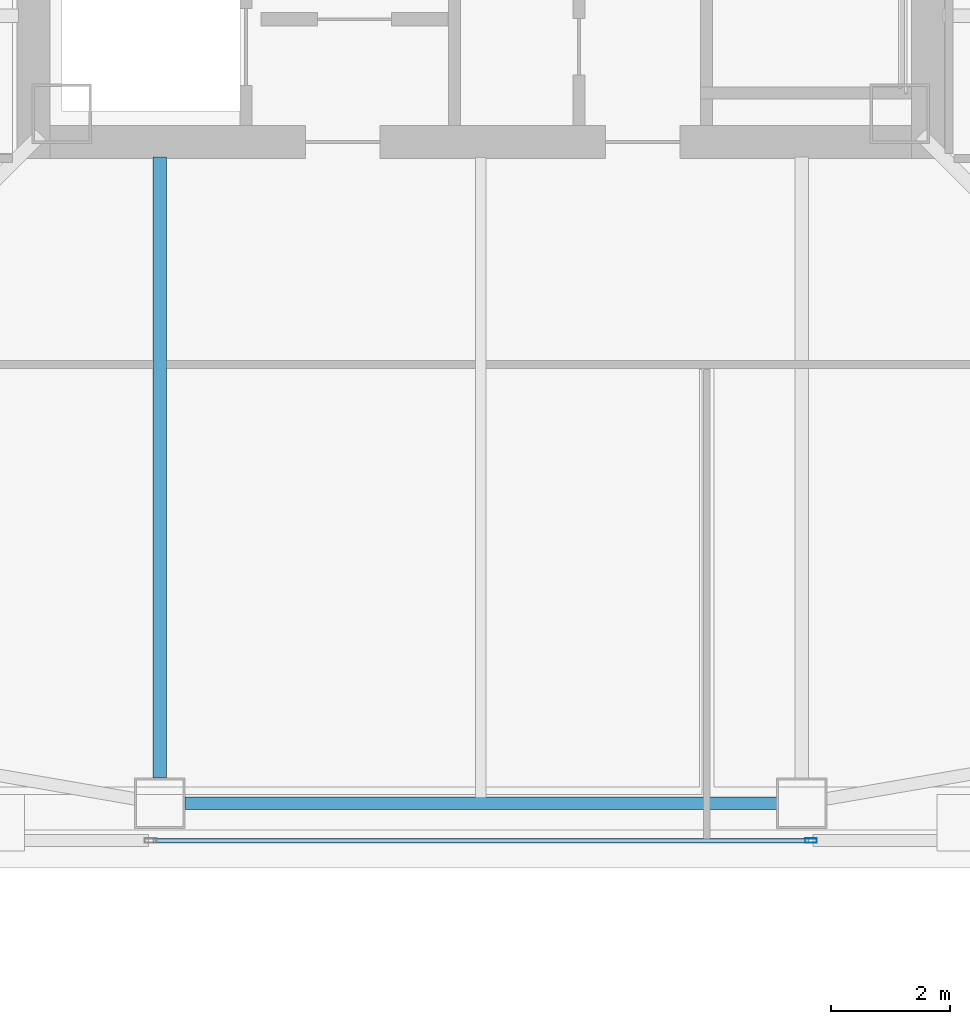
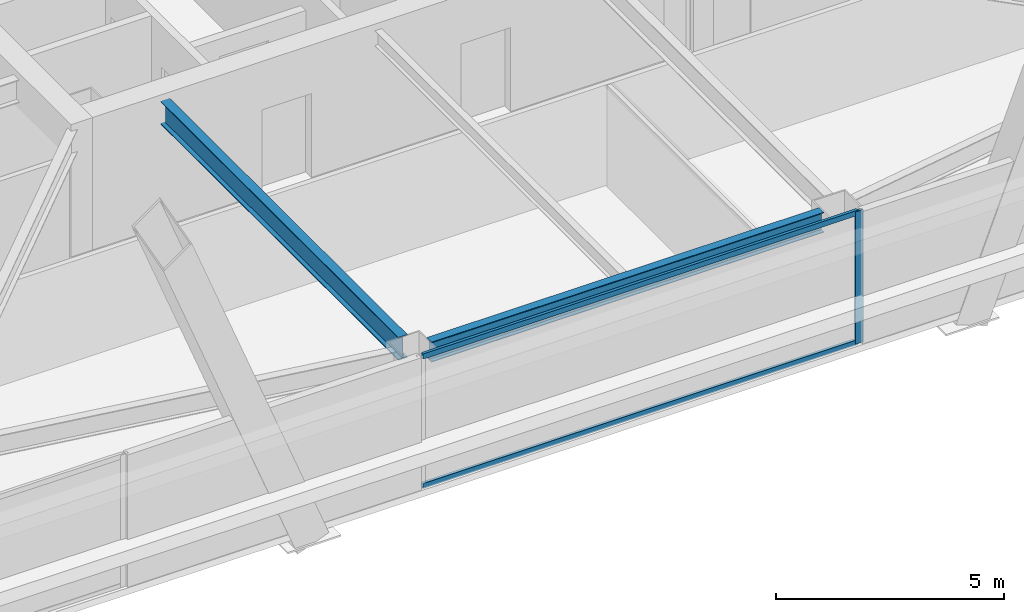
# One storey, part 8 of 54: 3 members, 2 beams, 1 element without a shape of its own.
"""IFC4 building model written with IfcOpenShell, lengths in metres."""

from ifc_helpers import new_model, si_unit, direction, frame, origin, origin_2d, place, context, subcontext, project, spatial, hollow_rectangle, i_section, extrude, material, material_profile, profile_set, type_object, element, aggregate, save


model = new_model("IFC4")

# Units and contexts
model_context = context("Model", 3, precision=1e-05, world=origin(), true_north=direction((0.0, 1.0)))
body_context = subcontext(model_context, "Body", "Model", "MODEL_VIEW")
ifc_project = project(units=[si_unit("LENGTHUNIT", "METRE"), si_unit("AREAUNIT", "SQUARE_METRE"), si_unit("VOLUMEUNIT", "CUBIC_METRE"), si_unit("PLANEANGLEUNIT", "RADIAN"), si_unit("MASSUNIT", "GRAM", prefix="KILO")], contexts=[model_context])

# Site, building, storey
site_placement = place(None, origin())
site = spatial("IfcSite", under=ifc_project, at=site_placement, CompositionType="ELEMENT")
building_placement = place(site_placement, origin())
building = spatial("IfcBuilding", under=site, at=building_placement, Name="Tashvorn Skyway Center", CompositionType="ELEMENT")
storey_placement = place(building_placement, frame((0.0, 0.0, 135.699951171875)))
storey = spatial("IfcBuildingStorey", under=building, at=storey_placement, Name="L36", CompositionType="ELEMENT", Elevation=135.699951171875)

# Beams
ifc_material_1 = material(Name="Steel ASTM A992 Grade 50", Category="steel")
ifc_material_profile_1 = material_profile(ifc_material_1, i_section(OverallWidth=0.22998046875, OverallDepth=0.616943359375, WebThickness=0.01318359375, FlangeThickness=0.022216796875, at=origin_2d()), Name="W24X94")
ifc_profile_set_1 = profile_set([ifc_material_profile_1], Name="Steel ASTM A992 Grade 50")
beam_type_1 = type_object("IfcBeamType", Name="BM-BEAM-W24X94", PredefinedType="BEAM", material=ifc_profile_set_1)
beam_1_placement = place(storey_placement, frame((36.60009765625, 13.77001953125, 3.0615234375), z_axis=(0.0, 1.0, 0.0), x_axis=(-1.0, 0.0, 0.0)))
element("IfcBeam", 1, at=beam_1_placement, inside=storey, type_object=beam_type_1, Name="Tower 1 L36 Primary Floor Girder FC-S1", PredefinedType="BEAM", context=body_context, shape_type="SweptSolid", body=[
    extrude(i_section(OverallWidth=0.22998046875, OverallDepth=0.616943359375, WebThickness=0.01318359375, FlangeThickness=0.022216796875, at=origin_2d()), origin(), (0.0, 0.0, 1.0), 10.449951171875),
])
ifc_material_profile_2 = material_profile(ifc_material_1, i_section(OverallWidth=0.2109375, OverallDepth=0.5390625, WebThickness=0.01171875, FlangeThickness=0.018798828125, at=origin_2d()), Name="W21X73")
ifc_profile_set_2 = profile_set([ifc_material_profile_2], Name="Steel ASTM A992 Grade 50")
beam_type_2 = type_object("IfcBeamType", Name="BM-SPANDREL-W21X73", PredefinedType="SPANDREL", material=ifc_profile_set_2)
beam_2_placement = place(storey_placement, frame((37.02001953125, 13.35009765625, 3.1005859375), z_axis=(1.0, 0.0, 0.0), x_axis=(0.0, 1.0, 0.0)))
element("IfcBeam", 2, at=beam_2_placement, inside=storey, type_object=beam_type_2, Name="Tower 1 L36 Spandrel Beam 02", PredefinedType="SPANDREL", context=body_context, shape_type="SweptSolid", body=[
    extrude(i_section(OverallWidth=0.2109375, OverallDepth=0.5390625, WebThickness=0.01171875, FlangeThickness=0.018798828125, at=origin_2d()), origin(), (0.0, 0.0, 1.0), 9.9599609375),
])

# Curtain wall, members
ifc_material_2 = material(Name="Thermally broken bronze-anodized aluminium 6063-T6", Category="aluminium")
curtain_wall_type = type_object("IfcCurtainWallType", Name="CW-CW-Z3", PredefinedType="NOTDEFINED", material=ifc_material_2)
curtain_wall_placement = place(storey_placement, origin())
curtain_wall = element("IfcCurtainWall", 3, at=curtain_wall_placement, inside=storey, type_object=curtain_wall_type, Name="Tower 1 L36 South Unitised Curtain Wall Glazing Group 2", PredefinedType="NOTDEFINED")
ifc_material_profile_3 = material_profile(ifc_material_2, hollow_rectangle(XDim=0.074951171875, YDim=0.199951171875, WallThickness=0.00439453125, at=origin_2d()), Name="ALU-MULL-75x200")
ifc_profile_set_3 = profile_set([ifc_material_profile_3], Name="Thermally broken bronze-anodized aluminium 6063-T6")
member_type_1 = type_object("IfcMemberType", Name="CWM-CW-Z3", PredefinedType="MULLION", material=ifc_profile_set_3)
member_1_placement = place(storey_placement, frame((47.555908203125, 12.719970703125, 0.0), z_axis=(0.0, 0.0, 1.0), x_axis=(0.0, -1.0, 0.0)))
member_1 = element("IfcMember", 4, at=member_1_placement, type_object=member_type_1, Name="CW-Z3 mullion 1", PredefinedType="MULLION", context=body_context, shape_type="SweptSolid", body=[
    extrude(hollow_rectangle(XDim=0.074951171875, YDim=0.199951171875, WallThickness=0.00439453125, at=origin_2d()), origin(), (0.0, 0.0, 1.0), 3.550048828125),
])
ifc_material_profile_4 = material_profile(ifc_material_2, hollow_rectangle(XDim=0.074951171875, YDim=0.139892578125, WallThickness=0.004150390625, at=origin_2d()), Name="ALU-TRAN-75x140")
ifc_profile_set_4 = profile_set([ifc_material_profile_4], Name="Thermally broken bronze-anodized aluminium 6063-T6")
member_type_2 = type_object("IfcMemberType", Name="CWT-CW-Z3", PredefinedType="USERDEFINED", material=ifc_profile_set_4)
member_2_placement = place(storey_placement, frame((47.518310546875, 12.719970703125, 0.03759765625), z_axis=(-1.0, 0.0, 0.0), x_axis=(0.0, -1.0, 0.0)))
member_2 = element("IfcMember", 5, at=member_2_placement, type_object=member_type_2, Name="CW-Z3 transom 1.1", ObjectType="TRANSOM", PredefinedType="USERDEFINED", context=body_context, shape_type="SweptSolid", body=[
    extrude(hollow_rectangle(XDim=0.074951171875, YDim=0.139892578125, WallThickness=0.004150390625, at=origin_2d()), origin(), (0.0, 0.0, 1.0), 11.03662109375),
])
member_3_placement = place(storey_placement, frame((47.518310546875, 12.719970703125, 3.512451171875), z_axis=(-1.0, 0.0, 0.0), x_axis=(0.0, -1.0, 0.0)))
member_3 = element("IfcMember", 6, at=member_3_placement, type_object=member_type_2, Name="CW-Z3 transom 1.2", ObjectType="TRANSOM", PredefinedType="USERDEFINED", context=body_context, shape_type="SweptSolid", body=[
    extrude(hollow_rectangle(XDim=0.074951171875, YDim=0.139892578125, WallThickness=0.004150390625, at=origin_2d()), origin(), (0.0, 0.0, 1.0), 11.03662109375),
])
aggregate(curtain_wall, [member_1, member_2, member_3])

save(model, "model.ifc")
